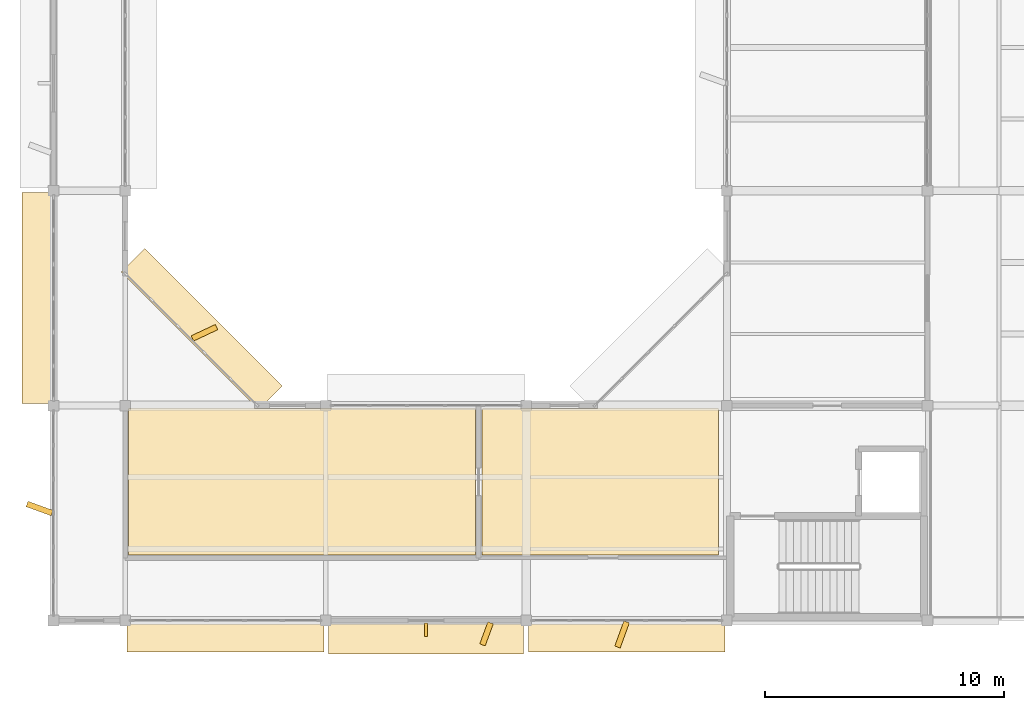
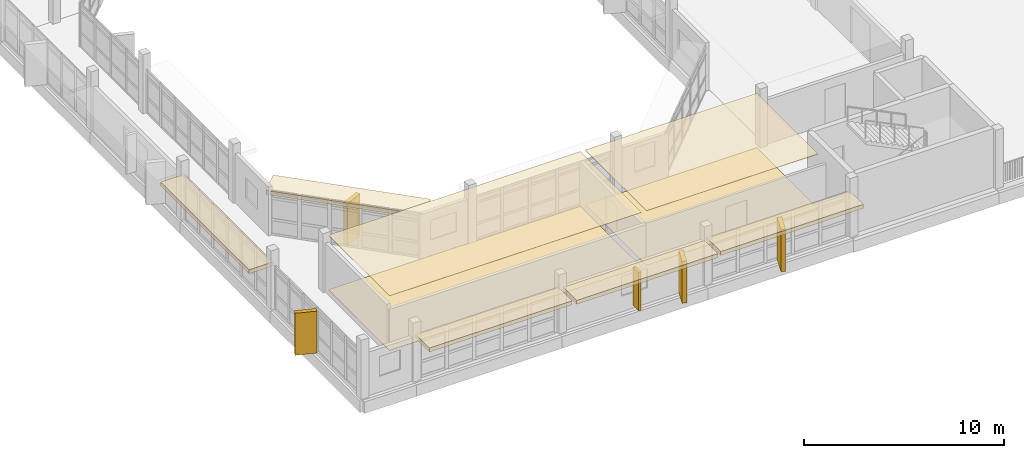
# One storey, part 26 of 42: 13 coverings, 1 shading device.
"""IFC4 building model written with IfcOpenShell, lengths in metres."""

from ifc_helpers import new_model, si_unit, direction, frame, origin, origin_2d, place, context, subcontext, project, spatial, polyline, rectangle, outline, extrude, material, layer, layer_set, type_object, element, save


model = new_model("IFC4")

# Units and contexts
model_context = context("Model", 3, precision=1e-05, world=origin(), true_north=direction((0.0, 1.0)))
body_context = subcontext(model_context, "Body", "Model", "MODEL_VIEW")
ifc_project = project(units=[si_unit("LENGTHUNIT", "METRE"), si_unit("AREAUNIT", "SQUARE_METRE"), si_unit("VOLUMEUNIT", "CUBIC_METRE"), si_unit("PLANEANGLEUNIT", "RADIAN"), si_unit("MASSUNIT", "GRAM", prefix="KILO")], contexts=[model_context])

# Site, building, storey
site_placement = place(None, origin())
site = spatial("IfcSite", under=ifc_project, at=site_placement, CompositionType="ELEMENT")
building_placement = place(site_placement, origin())
building = spatial("IfcBuilding", under=site, at=building_placement, Name="Vanh Quang Courtyard School", CompositionType="ELEMENT")
storey_placement = place(building_placement, frame((0.0, 0.0, 15.0)))
storey = spatial("IfcBuildingStorey", under=building, at=storey_placement, Name="L04", CompositionType="ELEMENT", Elevation=15.0)

# Coverings
ifc_material_1 = material(Name="Perforated mineral-fibre acoustic ceiling board")
ifc_layer_1 = layer(ifc_material_1, 0.02490234375)
ifc_layer_set_1 = layer_set([ifc_layer_1], Name="Perforated mineral-fibre acoustic ceiling board")
covering_type_1 = type_object("IfcCoveringType", Name="COV-CEIL-ACOUSTIC", PredefinedType="CEILING", material=ifc_layer_set_1)
covering_1_placement = place(storey_placement, frame((0.0, 0.0, 3.324951171875)))
element("IfcCovering", 1, at=covering_1_placement, inside=storey, type_object=covering_type_1, Name="Covering CV-CL1 (L04)", PredefinedType="CEILING", context=body_context, shape_type="SweptSolid", body=[
    extrude(outline(polyline([(55.469970703125, 35.159912109375), (55.469970703125, 35.158935546875), (55.4697265625, 35.157958984375), (55.469482421875, 35.156982421875), (55.46923828125, 35.15625), (55.46875, 35.1552734375), (55.46826171875, 35.154296875), (55.4677734375, 35.15380859375), (55.467041015625, 35.15283203125), (55.46630859375, 35.15234375), (55.465576171875, 35.151611328125), (55.464599609375, 35.151123046875), (55.4638671875, 35.15087890625), (55.462890625, 35.150390625), (55.4619140625, 35.150146484375), (55.4609375, 35.14990234375), (55.4599609375, 35.14990234375), (40.93994140625, 35.14990234375), (40.93896484375, 35.14990234375), (40.93798828125, 35.150146484375), (40.93701171875, 35.150390625), (40.936279296875, 35.15087890625), (40.935302734375, 35.151123046875), (40.934326171875, 35.151611328125), (40.93359375, 35.15234375), (40.932861328125, 35.15283203125), (40.932373046875, 35.15380859375), (40.931640625, 35.154296875), (40.93115234375, 35.1552734375), (40.930908203125, 35.15625), (40.930419921875, 35.156982421875), (40.93017578125, 35.157958984375), (40.929931640625, 35.158935546875), (40.929931640625, 35.159912109375), (40.929931640625, 41.260009765625), (40.929931640625, 41.260986328125), (40.93017578125, 41.261962890625), (40.930419921875, 41.262939453125), (40.930908203125, 41.263916015625), (40.93115234375, 41.2646484375), (40.931640625, 41.265625), (40.932373046875, 41.266357421875), (40.932861328125, 41.26708984375), (40.93359375, 41.267578125), (40.934326171875, 41.268310546875), (40.935302734375, 41.268798828125), (40.936279296875, 41.269287109375), (40.93701171875, 41.26953125), (40.93798828125, 41.269775390625), (40.93896484375, 41.27001953125), (40.93994140625, 41.27001953125), (55.4599609375, 41.27001953125), (55.4609375, 41.27001953125), (55.4619140625, 41.269775390625), (55.462890625, 41.26953125), (55.4638671875, 41.269287109375), (55.464599609375, 41.268798828125), (55.465576171875, 41.268310546875), (55.46630859375, 41.267578125), (55.467041015625, 41.26708984375), (55.4677734375, 41.266357421875), (55.46826171875, 41.265625), (55.46875, 41.2646484375), (55.46923828125, 41.263916015625), (55.469482421875, 41.262939453125), (55.4697265625, 41.261962890625), (55.469970703125, 41.260986328125), (55.469970703125, 41.260009765625), (55.469970703125, 35.159912109375)])), origin(), (0.0, 0.0, 1.0), 0.025146484375),
])
covering_2_placement = place(storey_placement, frame((0.0, 0.0, 3.324951171875)))
element("IfcCovering", 2, at=covering_2_placement, inside=storey, type_object=covering_type_1, Name="Covering CV-CL1 (L04)", PredefinedType="CEILING", context=body_context, shape_type="SweptSolid", body=[
    extrude(outline(polyline([(55.760009765625, 35.14990234375), (55.759033203125, 35.14990234375), (55.758056640625, 35.150146484375), (55.757080078125, 35.150390625), (55.756103515625, 35.15087890625), (55.75537109375, 35.151123046875), (55.75439453125, 35.151611328125), (55.753662109375, 35.15234375), (55.7529296875, 35.15283203125), (55.752197265625, 35.15380859375), (55.751708984375, 35.154296875), (55.751220703125, 35.1552734375), (55.750732421875, 35.15625), (55.75048828125, 35.156982421875), (55.750244140625, 35.157958984375), (55.75, 35.158935546875), (55.75, 35.159912109375), (55.75, 41.260009765625), (55.75, 41.260986328125), (55.750244140625, 41.261962890625), (55.75048828125, 41.262939453125), (55.750732421875, 41.263916015625), (55.751220703125, 41.2646484375), (55.751708984375, 41.265625), (55.752197265625, 41.266357421875), (55.7529296875, 41.26708984375), (55.753662109375, 41.267578125), (55.75439453125, 41.268310546875), (55.75537109375, 41.268798828125), (55.756103515625, 41.269287109375), (55.757080078125, 41.26953125), (55.758056640625, 41.269775390625), (55.759033203125, 41.27001953125), (55.760009765625, 41.27001953125), (65.64990234375, 41.27001953125), (65.64990234375, 35.14990234375), (55.760009765625, 35.14990234375)])), origin(), (0.0, 0.0, 1.0), 0.025146484375),
])
ifc_material_2 = material(Name="Polished cementitious terrazzo tile", Category="concrete")
ifc_layer_2 = layer(ifc_material_2, 0.02001953125)
ifc_layer_set_2 = layer_set([ifc_layer_2], Name="Polished cementitious terrazzo tile")
covering_type_2 = type_object("IfcCoveringType", Name="COV-FLR-TERRAZZO", PredefinedType="FLOORING", material=ifc_layer_set_2)
covering_3_placement = place(storey_placement, origin())
element("IfcCovering", 3, at=covering_3_placement, inside=storey, type_object=covering_type_2, Name="Covering CV-FL1 (L04)", PredefinedType="FLOORING", context=body_context, shape_type="SweptSolid", body=[
    extrude(outline(polyline([(55.469970703125, 35.159912109375), (55.469970703125, 35.158935546875), (55.4697265625, 35.157958984375), (55.469482421875, 35.156982421875), (55.46923828125, 35.15625), (55.46875, 35.1552734375), (55.46826171875, 35.154296875), (55.4677734375, 35.15380859375), (55.467041015625, 35.15283203125), (55.46630859375, 35.15234375), (55.465576171875, 35.151611328125), (55.464599609375, 35.151123046875), (55.4638671875, 35.15087890625), (55.462890625, 35.150390625), (55.4619140625, 35.150146484375), (55.4609375, 35.14990234375), (55.4599609375, 35.14990234375), (40.93994140625, 35.14990234375), (40.93896484375, 35.14990234375), (40.93798828125, 35.150146484375), (40.93701171875, 35.150390625), (40.936279296875, 35.15087890625), (40.935302734375, 35.151123046875), (40.934326171875, 35.151611328125), (40.93359375, 35.15234375), (40.932861328125, 35.15283203125), (40.932373046875, 35.15380859375), (40.931640625, 35.154296875), (40.93115234375, 35.1552734375), (40.930908203125, 35.15625), (40.930419921875, 35.156982421875), (40.93017578125, 35.157958984375), (40.929931640625, 35.158935546875), (40.929931640625, 35.159912109375), (40.929931640625, 41.260009765625), (40.929931640625, 41.260986328125), (40.93017578125, 41.261962890625), (40.930419921875, 41.262939453125), (40.930908203125, 41.263916015625), (40.93115234375, 41.2646484375), (40.931640625, 41.265625), (40.932373046875, 41.266357421875), (40.932861328125, 41.26708984375), (40.93359375, 41.267578125), (40.934326171875, 41.268310546875), (40.935302734375, 41.268798828125), (40.936279296875, 41.269287109375), (40.93701171875, 41.26953125), (40.93798828125, 41.269775390625), (40.93896484375, 41.27001953125), (40.93994140625, 41.27001953125), (55.4599609375, 41.27001953125), (55.4609375, 41.27001953125), (55.4619140625, 41.269775390625), (55.462890625, 41.26953125), (55.4638671875, 41.269287109375), (55.464599609375, 41.268798828125), (55.465576171875, 41.268310546875), (55.46630859375, 41.267578125), (55.467041015625, 41.26708984375), (55.4677734375, 41.266357421875), (55.46826171875, 41.265625), (55.46875, 41.2646484375), (55.46923828125, 41.263916015625), (55.469482421875, 41.262939453125), (55.4697265625, 41.261962890625), (55.469970703125, 41.260986328125), (55.469970703125, 41.260009765625), (55.469970703125, 35.159912109375)])), origin(), (0.0, 0.0, 1.0), 0.02001953125),
])
covering_4_placement = place(storey_placement, origin())
element("IfcCovering", 4, at=covering_4_placement, inside=storey, type_object=covering_type_2, Name="Covering CV-FL1 (L04)", PredefinedType="FLOORING", context=body_context, shape_type="SweptSolid", body=[
    extrude(outline(polyline([(55.760009765625, 35.14990234375), (55.759033203125, 35.14990234375), (55.758056640625, 35.150146484375), (55.757080078125, 35.150390625), (55.756103515625, 35.15087890625), (55.75537109375, 35.151123046875), (55.75439453125, 35.151611328125), (55.753662109375, 35.15234375), (55.7529296875, 35.15283203125), (55.752197265625, 35.15380859375), (55.751708984375, 35.154296875), (55.751220703125, 35.1552734375), (55.750732421875, 35.15625), (55.75048828125, 35.156982421875), (55.750244140625, 35.157958984375), (55.75, 35.158935546875), (55.75, 35.159912109375), (55.75, 41.260009765625), (55.75, 41.260986328125), (55.750244140625, 41.261962890625), (55.75048828125, 41.262939453125), (55.750732421875, 41.263916015625), (55.751220703125, 41.2646484375), (55.751708984375, 41.265625), (55.752197265625, 41.266357421875), (55.7529296875, 41.26708984375), (55.753662109375, 41.267578125), (55.75439453125, 41.268310546875), (55.75537109375, 41.268798828125), (55.756103515625, 41.269287109375), (55.757080078125, 41.26953125), (55.758056640625, 41.269775390625), (55.759033203125, 41.27001953125), (55.760009765625, 41.27001953125), (65.64990234375, 41.27001953125), (65.64990234375, 35.14990234375), (55.760009765625, 35.14990234375)])), origin(), (0.0, 0.0, 1.0), 0.02001953125),
])
ifc_material_3 = material(Name="Board-marked precast concrete C40/50", Category="concrete")
ifc_layer_3 = layer(ifc_material_3, 0.239990234375)
ifc_layer_set_3 = layer_set([ifc_layer_3], Name="Board-marked precast concrete C40/50")
covering_type_3 = type_object("IfcCoveringType", Name="COV-HOOD-CONC", PredefinedType="CLADDING", material=ifc_layer_set_3)
covering_5_placement = place(storey_placement, frame((37.215087890625, 37.090087890625, 0.0), z_axis=(0.0, 0.0, 1.0), x_axis=(-0.94028812701, 0.340379550213, 0.0)))
element("IfcCovering", 5, at=covering_5_placement, inside=storey, type_object=covering_type_3, Name="Covering CH-01 (L04)", PredefinedType="CLADDING", context=body_context, shape_type="SweptSolid", body=[
    extrude(rectangle(XDim=1.11669921875, YDim=0.239990234375, at=origin_2d()), origin(), (0.0, 0.0, 1.0), 2.56005859375),
])
covering_6_placement = place(storey_placement, frame((37.179931640625, 45.89990234375, 2.41015625), z_axis=(0.0, 0.0, 1.0), x_axis=(0.0, 1.0, 0.0)))
element("IfcCovering", 6, at=covering_6_placement, inside=storey, type_object=covering_type_3, Name="Covering CH-01 (L04)", PredefinedType="CLADDING", context=body_context, shape_type="SweptSolid", body=[
    extrude(rectangle(XDim=8.833984375, YDim=1.39990234375, at=origin_2d()), origin(), (0.0, 0.0, 1.0), 0.239990234375),
])
covering_7_placement = place(storey_placement, frame((61.800048828125, 31.780029296875, 2.41015625), z_axis=(0.0, 0.0, 1.0), x_axis=(-1.0, 0.0, 0.0)))
element("IfcCovering", 7, at=covering_7_placement, inside=storey, type_object=covering_type_3, Name="Covering CH-01 (L04)", PredefinedType="CLADDING", context=body_context, shape_type="SweptSolid", body=[
    extrude(rectangle(XDim=8.23388671875, YDim=1.39990234375, at=origin_2d()), origin(), (0.0, 0.0, 1.0), 0.239990234375),
])
covering_8_placement = place(storey_placement, frame((61.610107421875, 31.81494140625, 0.0), z_axis=(0.0, 0.0, 1.0), x_axis=(-0.340379550213, -0.94028812701, 0.0)))
element("IfcCovering", 8, at=covering_8_placement, inside=storey, type_object=covering_type_3, Name="Covering CH-01 (L04)", PredefinedType="CLADDING", context=body_context, shape_type="SweptSolid", body=[
    extrude(rectangle(XDim=1.11669921875, YDim=0.239990234375, at=origin_2d()), origin(), (0.0, 0.0, 1.0), 2.56005859375),
])
covering_9_placement = place(storey_placement, frame((53.39990234375, 31.669921875, 2.41015625), z_axis=(0.0, 0.0, 1.0), x_axis=(-1.0, 0.0, 0.0)))
element("IfcCovering", 9, at=covering_9_placement, inside=storey, type_object=covering_type_3, Name="Covering CH-01 (L04)", PredefinedType="CLADDING", context=body_context, shape_type="SweptSolid", body=[
    extrude(rectangle(XDim=8.154052734375, YDim=1.35009765625, at=origin_2d()), origin(), (0.0, 0.0, 1.0), 0.239990234375),
])
covering_10_placement = place(storey_placement, frame((55.934326171875, 31.840087890625, 0.0), z_axis=(0.0, 0.0, 1.0), x_axis=(-0.346608245445, -0.938009980858, 0.0)))
element("IfcCovering", 10, at=covering_10_placement, inside=storey, type_object=covering_type_3, Name="Covering CH-01 (L04)", PredefinedType="CLADDING", context=body_context, shape_type="SweptSolid", body=[
    extrude(rectangle(XDim=0.980712890625, YDim=0.239990234375, at=origin_2d()), origin(), (0.0, 0.0, 1.0), 2.56005859375),
])
covering_11_placement = place(storey_placement, frame((45.0, 31.780029296875, 2.41015625), z_axis=(0.0, 0.0, 1.0), x_axis=(-1.0, 0.0, 0.0)))
element("IfcCovering", 11, at=covering_11_placement, inside=storey, type_object=covering_type_3, Name="Covering CH-01 (L04)", PredefinedType="CLADDING", context=body_context, shape_type="SweptSolid", body=[
    extrude(rectangle(XDim=8.23388671875, YDim=1.39990234375, at=origin_2d()), origin(), (0.0, 0.0, 1.0), 0.239990234375),
])
covering_12_placement = place(storey_placement, frame((44.010498046875, 44.6103515625, 2.4599609375), z_axis=(0.0, 0.0, 1.0), x_axis=(0.707106781187, -0.707106781187, 0.0)))
element("IfcCovering", 12, at=covering_12_placement, inside=storey, type_object=covering_type_3, Name="Covering CH-01 (L04)", PredefinedType="CLADDING", context=body_context, shape_type="SweptSolid", body=[
    extrude(rectangle(XDim=8.140380859375, YDim=1.39990234375, at=origin_2d()), origin(), (0.0, 0.0, 1.0), 0.239990234375),
])
covering_13_placement = place(storey_placement, frame((44.1201171875, 44.451416015625, 0.0), z_axis=(0.0, 0.0, 1.0), x_axis=(0.905494748453, 0.424357467855, 0.0)))
element("IfcCovering", 13, at=covering_13_placement, inside=storey, type_object=covering_type_3, Name="Covering CH-01 (L04)", PredefinedType="CLADDING", context=body_context, shape_type="SweptSolid", body=[
    extrude(rectangle(XDim=1.11669921875, YDim=0.239990234375, at=origin_2d()), origin(), (0.0, 0.0, 1.0), 2.56005859375),
])

# Shading device
shading_device_type = type_object("IfcShadingDeviceType", Name="SHD-FIN-CONCRETE", PredefinedType="USERDEFINED", material=ifc_material_3)
shading_device_placement = place(storey_placement, frame((53.39990234375, 32.014892578125, 0.14990234375), z_axis=(0.0, 0.0, 1.0), x_axis=(-1.0, 0.0, 0.0)))
element("IfcShadingDevice", 14, at=shading_device_placement, inside=storey, type_object=shading_device_type, Name="Solar Shading SH-02 (L04)", ObjectType="Solar Shading SH-02 (L04)", PredefinedType="USERDEFINED", context=body_context, shape_type="SweptSolid", body=[
    extrude(rectangle(XDim=0.139892578125, YDim=0.550048828125, at=origin_2d()), origin(), (0.0, 0.0, 1.0), 2.35009765625),
])

save(model, "model.ifc")
